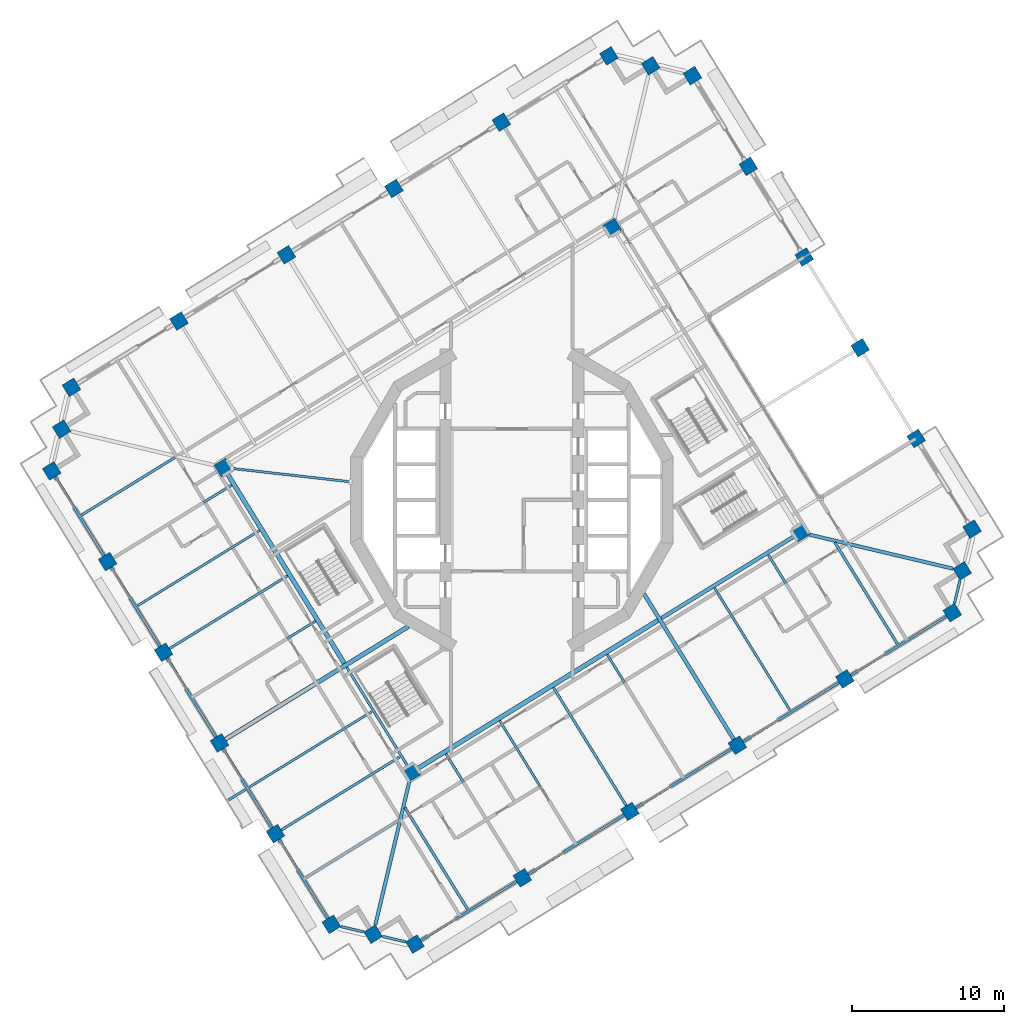
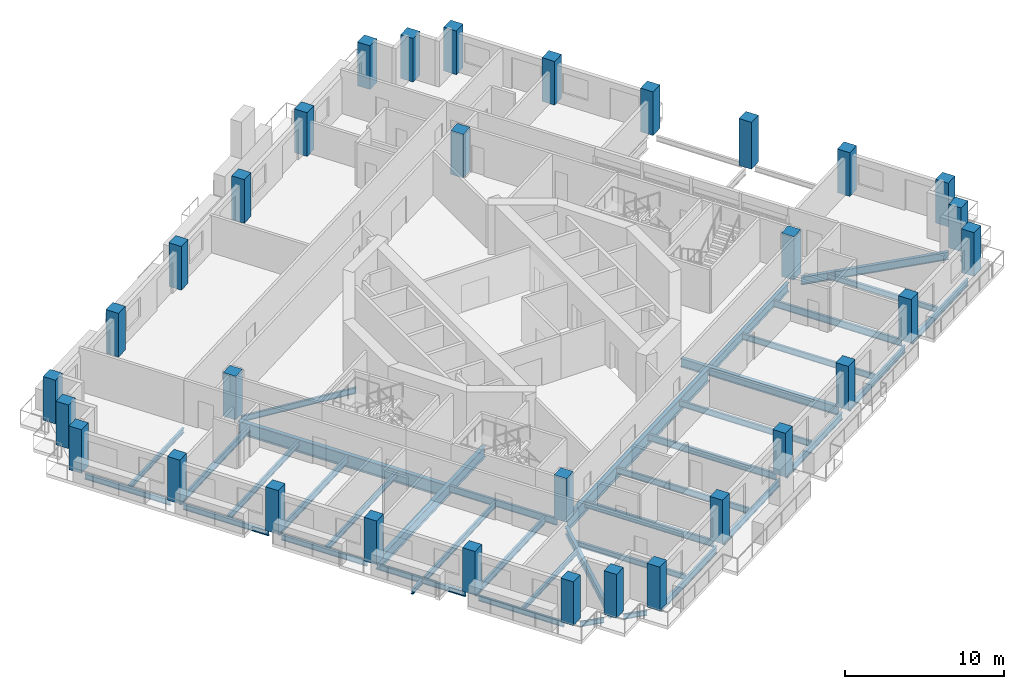
# One storey, part 1 of 21: 39 beams, 32 columns.
"""IFC4 building model written with IfcOpenShell, lengths in metres."""

from ifc_helpers import new_model, si_unit, direction, frame, origin, origin_2d, place, context, subcontext, project, spatial, rectangle, i_section, extrude, material, material_profile, profile_set, type_object, element, save


model = new_model("IFC4")

# Units and contexts
model_context = context("Model", 3, precision=1e-05, world=origin(), true_north=direction((0.0, 1.0)))
body_context = subcontext(model_context, "Body", "Model", "MODEL_VIEW")
ifc_project = project(units=[si_unit("LENGTHUNIT", "METRE"), si_unit("AREAUNIT", "SQUARE_METRE"), si_unit("VOLUMEUNIT", "CUBIC_METRE"), si_unit("PLANEANGLEUNIT", "RADIAN"), si_unit("MASSUNIT", "GRAM", prefix="KILO")], contexts=[model_context])

# Site, building, storey
site_placement = place(None, origin())
site = spatial("IfcSite", under=ifc_project, at=site_placement, CompositionType="ELEMENT")
building_placement = place(site_placement, origin())
building = spatial("IfcBuilding", under=site, at=building_placement, Name="Cantera Rosa Tower", CompositionType="ELEMENT")
storey_placement = place(building_placement, frame((0.0, 0.0, 185.60009765625)))
storey = spatial("IfcBuildingStorey", under=building, at=storey_placement, Name="L41", CompositionType="ELEMENT", Elevation=185.60009765625)

# Columns
ifc_material_1 = material(Name="Concrete C60/75", Category="concrete")
ifc_material_profile_1 = material_profile(ifc_material_1, rectangle(XDim=0.89990234375, YDim=0.89990234375, at=origin_2d()), Name="RC COLUMN RC900X900 C60/75")
ifc_profile_set_1 = profile_set([ifc_material_profile_1], Name="Concrete C60/75")
column_type_1 = type_object("IfcColumnType", Name="RC COLUMN RC900X900 C60/75", PredefinedType="COLUMN", material=ifc_profile_set_1)
for number, where, z_axis, x_axis, name in (
    (1, (30.321044921875, -1.917724609375, 0.0), (0.0, 0.0, 1.0), (0.851116672434, 0.52497658034, 0.0), "C-Z3-01 L41"),
    (2, (26.6357421875, 4.05712890625, 0.0), (0.0, 0.0, 1.0), (0.851116672434, 0.52497658034, 0.0), "C-Z3-02 L41"),
):
    element("IfcColumn", number, at=place(storey_placement, frame(where, z_axis=z_axis, x_axis=x_axis)), inside=storey, type_object=column_type_1, Name=name, PredefinedType="COLUMN", context=body_context, shape_type="SweptSolid", body=[
        extrude(rectangle(XDim=0.89990234375, YDim=0.89990234375, at=origin_2d()), origin(), (0.0, 0.0, 1.0), 3.349853515625),
    ])
column_placement = place(storey_placement, frame((22.950439453125, 10.031982421875, -0.25), z_axis=(0.0, 0.0, 1.0), x_axis=(0.851116672434, 0.52497658034, 0.0)))
element("IfcColumn", 3, at=column_placement, inside=storey, type_object=column_type_1, Name="C-Z3-03 L41", PredefinedType="COLUMN", context=body_context, shape_type="SweptSolid", body=[
    extrude(rectangle(XDim=0.89990234375, YDim=0.89990234375, at=origin_2d()), origin(), (0.0, 0.0, 1.0), 3.599853515625),
])
for number, where, z_axis, x_axis, name in (
    (4, (19.26513671875, 16.0068359375, 0.0), (0.0, 0.0, 1.0), (0.851116672434, 0.52497658034, 0.0), "C-Z3-04 L41"),
    (5, (15.57958984375, 21.981689453125, 0.0), (0.0, 0.0, 1.0), (0.851116672434, 0.52497658034, 0.0), "C-Z3-05 L41"),
    (6, (11.894287109375, 27.95654296875, 0.0), (0.0, 0.0, 1.0), (0.851116672434, 0.52497658034, 0.0), "C-Z3-06 L41"),
    (7, (9.14208984375, 28.60888671875, 0.0), (0.0, 0.0, 1.0), (0.851116672434, 0.52497658034, 0.0), "C-Z3-07 L41"),
    (8, (6.389892578125, 29.260986328125, 0.0), (0.0, 0.0, 1.0), (0.851116672434, 0.52497658034, 0.0), "C-Z3-08 L41"),
    (9, (-0.69140625, 24.893310546875, 0.0), (0.0, 0.0, 1.0), (0.851116672434, 0.52497658034, 0.0), "C-Z3-09 L41"),
    (10, (-7.772705078125, 20.525390625, 0.0), (0.0, 0.0, 1.0), (0.851116672434, 0.52497658034, 0.0), "C-Z3-10 L41"),
    (11, (-14.85400390625, 16.15771484375, 0.0), (0.0, 0.0, 1.0), (0.851116672434, 0.52497658034, 0.0), "C-Z3-11 L41"),
    (12, (-21.935302734375, 11.789794921875, 0.0), (0.0, 0.0, 1.0), (0.851116672434, 0.52497658034, 0.0), "C-Z3-12 L41"),
    (13, (-29.016357421875, 7.422119140625, 0.0), (0.0, 0.0, 1.0), (0.851116672434, 0.52497658034, 0.0), "C-Z3-13 L41"),
    (14, (-29.668701171875, 4.669921875, 0.0), (0.0, 0.0, 1.0), (0.851116672434, 0.52497658034, 0.0), "C-Z3-14 L41"),
    (15, (-30.321044921875, 1.917724609375, 0.0), (0.0, 0.0, 1.0), (0.851116672434, 0.52497658034, 0.0), "C-Z3-15 L41"),
    (16, (-26.6357421875, -4.05712890625, 0.0), (0.0, 0.0, 1.0), (0.851116672434, 0.52497658034, 0.0), "C-Z3-16 L41"),
    (17, (-22.950439453125, -10.031982421875, 0.0), (0.0, 0.0, 1.0), (0.851116672434, 0.52497658034, 0.0), "C-Z3-17 L41"),
    (18, (-19.26513671875, -16.0068359375, 0.0), (0.0, 0.0, 1.0), (0.851116672434, 0.52497658034, 0.0), "C-Z3-18 L41"),
    (19, (-15.57958984375, -21.981689453125, 0.0), (0.0, 0.0, 1.0), (0.851116672434, 0.52497658034, 0.0), "C-Z3-19 L41"),
    (20, (-11.894287109375, -27.95654296875, 0.0), (0.0, 0.0, 1.0), (0.851116672434, 0.52497658034, 0.0), "C-Z3-20 L41"),
    (21, (-9.14208984375, -28.60888671875, 0.0), (0.0, 0.0, 1.0), (0.851116672434, 0.52497658034, 0.0), "C-Z3-21 L41"),
    (22, (-6.389892578125, -29.260986328125, 0.0), (0.0, 0.0, 1.0), (0.851116672434, 0.52497658034, 0.0), "C-Z3-22 L41"),
    (23, (0.69140625, -24.893310546875, 0.0), (0.0, 0.0, 1.0), (0.851116672434, 0.52497658034, 0.0), "C-Z3-23 L41"),
    (24, (7.772705078125, -20.525390625, 0.0), (0.0, 0.0, 1.0), (0.851116672434, 0.52497658034, 0.0), "C-Z3-24 L41"),
    (25, (14.85400390625, -16.15771484375, 0.0), (0.0, 0.0, 1.0), (0.851116672434, 0.52497658034, 0.0), "C-Z3-25 L41"),
    (26, (21.935302734375, -11.789794921875, 0.0), (0.0, 0.0, 1.0), (0.851116672434, 0.52497658034, 0.0), "C-Z3-26 L41"),
    (27, (29.016357421875, -7.422119140625, 0.0), (0.0, 0.0, 1.0), (0.851116672434, 0.52497658034, 0.0), "C-Z3-27 L41"),
    (28, (29.668701171875, -4.669921875, 0.0), (0.0, 0.0, 1.0), (0.851116672434, 0.52497658034, 0.0), "C-Z3-28 L41"),
):
    element("IfcColumn", number, at=place(storey_placement, frame(where, z_axis=z_axis, x_axis=x_axis)), inside=storey, type_object=column_type_1, Name=name, PredefinedType="COLUMN", context=body_context, shape_type="SweptSolid", body=[
        extrude(rectangle(XDim=0.89990234375, YDim=0.89990234375, at=origin_2d()), origin(), (0.0, 0.0, 1.0), 3.349853515625),
    ])
ifc_material_2 = material(Name="Concrete C60/75", Category="concrete")
ifc_material_profile_2 = material_profile(ifc_material_2, rectangle(XDim=0.89990234375, YDim=0.89990234375, at=origin_2d()), Name="RC RING COLUMN RC900X900 C60/75")
ifc_profile_set_2 = profile_set([ifc_material_profile_2], Name="Concrete C60/75")
column_type_2 = type_object("IfcColumnType", Name="RC RING COLUMN RC900X900 C60/75", PredefinedType="COLUMN", material=ifc_profile_set_2)
for number, where, z_axis, x_axis, name in (
    (29, (6.614501953125, 17.944091796875, 0.0), (0.0, 0.0, 1.0), (0.851116672434, 0.52497658034, 0.0), "CI-Z3-1 L41"),
    (30, (-19.004150390625, 2.142333984375, 0.0), (0.0, 0.0, 1.0), (0.851116672434, 0.52497658034, 0.0), "CI-Z3-2 L41"),
    (31, (-6.614501953125, -17.944091796875, 0.0), (0.0, 0.0, 1.0), (0.851116672434, 0.52497658034, 0.0), "CI-Z3-3 L41"),
    (32, (19.004150390625, -2.142333984375, 0.0), (0.0, 0.0, 1.0), (0.851116672434, 0.52497658034, 0.0), "CI-Z3-4 L41"),
):
    element("IfcColumn", number, at=place(storey_placement, frame(where, z_axis=z_axis, x_axis=x_axis)), inside=storey, type_object=column_type_2, Name=name, PredefinedType="COLUMN", context=body_context, shape_type="SweptSolid", body=[
        extrude(rectangle(XDim=0.89990234375, YDim=0.89990234375, at=origin_2d()), origin(), (0.0, 0.0, 1.0), 3.349853515625),
    ])

# Beams
ifc_material_3 = material(Name="Steel ASTM A992 (Fy 345 MPa)", Category="steel")
ifc_material_profile_3 = material_profile(ifc_material_3, i_section(OverallWidth=0.300048828125, OverallDepth=0.990966796875, WebThickness=0.0166015625, FlangeThickness=0.030517578125, FilletRadius=0.030029296875, at=origin_2d()), Name="W1000X272")
ifc_profile_set_3 = profile_set([ifc_material_profile_3], Name="Steel ASTM A992 (Fy 345 MPa)")
beam_type_1 = type_object("IfcBeamType", Name="STEEL BEAM W1000X272", PredefinedType="BEAM", material=ifc_profile_set_3)
beam_1_placement = place(storey_placement, frame((-11.04541015625, -10.7607421875, -0.74560546875), z_axis=(-0.524974072618, 0.851118219215, 0.0), x_axis=(-0.851118219215, -0.524974072618, 0.0)))
element("IfcBeam", 33, at=beam_1_placement, inside=storey, type_object=beam_type_1, Name="RB-Z3-08 L41", PredefinedType="BEAM", context=body_context, shape_type="SweptSolid", body=[
    extrude(i_section(OverallWidth=0.300048828125, OverallDepth=0.990966796875, WebThickness=0.0166015625, FlangeThickness=0.030517578125, FilletRadius=0.030029296875, at=origin_2d()), origin(), (0.0, 0.0, 1.0), 14.7099609375),
])
ifc_material_4 = material(Name="Steel ASTM A992 (Fy 345 MPa)", Category="steel")
ifc_material_profile_4 = material_profile(ifc_material_4, i_section(OverallWidth=0.302001953125, OverallDepth=1.010009765625, WebThickness=0.02099609375, FlangeThickness=0.0400390625, FilletRadius=0.030029296875, at=origin_2d()), Name="W1000X350")
ifc_profile_set_4 = profile_set([ifc_material_profile_4], Name="Steel ASTM A992 (Fy 345 MPa)")
beam_type_2 = type_object("IfcBeamType", Name="STEEL BEAM W1000X350", PredefinedType="BEAM", material=ifc_profile_set_4)
beam_2_placement = place(storey_placement, frame((-6.231689453125, -17.707763671875, -0.755126953125), z_axis=(0.851118702028, 0.524973289852, 0.0), x_axis=(-0.524973289852, 0.851118702028, 0.0)))
element("IfcBeam", 34, at=beam_2_placement, inside=storey, type_object=beam_type_2, Name="RB-Z3-03 L41", PredefinedType="BEAM", context=body_context, shape_type="SweptSolid", body=[
    extrude(i_section(OverallWidth=0.302001953125, OverallDepth=1.010009765625, WebThickness=0.02099609375, FlangeThickness=0.0400390625, FilletRadius=0.030029296875, at=origin_2d()), origin(), (0.0, 0.0, 1.0), 18.610107421875),
])
ifc_material_5 = material(Name="Steel ASTM A992 (Fy 345 MPa)", Category="steel")
ifc_material_profile_5 = material_profile(ifc_material_5, i_section(OverallWidth=0.154052734375, OverallDepth=0.4599609375, WebThickness=0.009033203125, FlangeThickness=0.015380859375, FilletRadius=0.01025390625, at=origin_2d()), Name="W460X68")
ifc_profile_set_5 = profile_set([ifc_material_profile_5], Name="Steel ASTM A992 (Fy 345 MPa)")
beam_type_3 = type_object("IfcBeamType", Name="STEEL BEAM W460X68", PredefinedType="BEAM", material=ifc_profile_set_5)
beam_3_placement = place(storey_placement, frame((-18.435791015625, 2.078125, -0.47998046875), z_axis=(0.993707483767, -0.11200641368, 0.0), x_axis=(0.11200641368, 0.993707483767, 0.0)))
element("IfcBeam", 35, at=beam_3_placement, inside=storey, type_object=beam_type_3, Name="PG-Z3-01 L41", PredefinedType="BEAM", context=body_context, shape_type="SweptSolid", body=[
    extrude(i_section(OverallWidth=0.154052734375, OverallDepth=0.4599609375, WebThickness=0.009033203125, FlangeThickness=0.015380859375, FilletRadius=0.01025390625, at=origin_2d()), origin(), (0.0, 0.0, 1.0), 7.860107421875),
])
ifc_material_6 = material(Name="Steel ASTM A992 (Fy 345 MPa)", Category="steel")
ifc_material_profile_6 = material_profile(ifc_material_6, i_section(OverallWidth=0.166015625, OverallDepth=0.528076171875, WebThickness=0.009765625, FlangeThickness=0.013671875, FilletRadius=0.0126953125, at=origin_2d()), Name="W530X74")
ifc_profile_set_6 = profile_set([ifc_material_profile_6], Name="Steel ASTM A992 (Fy 345 MPa)")
beam_type_4 = type_object("IfcBeamType", Name="STEEL BEAM W530X74", PredefinedType="BEAM", material=ifc_profile_set_6)
beam_4_placement = place(storey_placement, frame((0.455078125, -24.51025390625, -0.51416015625), z_axis=(-0.524976979362, 0.851116426313, 0.0), x_axis=(-0.851116426313, -0.524976979362, 0.0)))
element("IfcBeam", 36, at=beam_4_placement, inside=storey, type_object=beam_type_4, Name="G-Z3-09 L41", PredefinedType="BEAM", context=body_context, shape_type="SweptSolid", body=[
    extrude(i_section(OverallWidth=0.166015625, OverallDepth=0.528076171875, WebThickness=0.009765625, FlangeThickness=0.013671875, FilletRadius=0.0126953125, at=origin_2d()), origin(), (0.0, 0.0, 1.0), 9.14990234375),
])
beam_5_placement = place(storey_placement, frame((7.536376953125, -20.142578125, -0.51416015625), z_axis=(-0.524965057427, 0.851123779764, 0.0), x_axis=(-0.851123779764, -0.524965057427, 0.0)))
element("IfcBeam", 37, at=beam_5_placement, inside=storey, type_object=beam_type_4, Name="G-Z3-10 L41", PredefinedType="BEAM", context=body_context, shape_type="SweptSolid", body=[
    extrude(i_section(OverallWidth=0.166015625, OverallDepth=0.528076171875, WebThickness=0.009765625, FlangeThickness=0.013671875, FilletRadius=0.0126953125, at=origin_2d()), origin(), (0.0, 0.0, 1.0), 9.150146484375),
])
for number, where, z_axis, x_axis, name in (
    (38, (21.698974609375, -11.40673828125, -0.51416015625), (-0.524976979362, 0.851116426313, 0.0), (-0.851116426313, -0.524976979362, 0.0), "G-Z3-12 L41"),
    (39, (-26.252685546875, -3.82080078125, -0.51416015625), (0.851116426313, 0.524976979362, 0.0), (-0.524976979362, 0.851116426313, 0.0), "G-Z3-13 L41"),
):
    element("IfcBeam", number, at=place(storey_placement, frame(where, z_axis=z_axis, x_axis=x_axis)), inside=storey, type_object=beam_type_4, Name=name, PredefinedType="BEAM", context=body_context, shape_type="SweptSolid", body=[
        extrude(i_section(OverallWidth=0.166015625, OverallDepth=0.528076171875, WebThickness=0.009765625, FlangeThickness=0.013671875, FilletRadius=0.0126953125, at=origin_2d()), origin(), (0.0, 0.0, 1.0), 9.14990234375),
    ])
for number, where, z_axis, x_axis, name in (
    (40, (-22.5673828125, -9.795654296875, -0.51416015625), (0.851123779764, 0.524965057427, 0.0), (-0.524965057427, 0.851123779764, 0.0), "G-Z3-14 L41"),
    (41, (-15.19677734375, -21.745361328125, -0.51416015625), (0.851123779764, 0.524965057427, 0.0), (-0.524965057427, 0.851123779764, 0.0), "G-Z3-16 L41"),
):
    element("IfcBeam", number, at=place(storey_placement, frame(where, z_axis=z_axis, x_axis=x_axis)), inside=storey, type_object=beam_type_4, Name=name, PredefinedType="BEAM", context=body_context, shape_type="SweptSolid", body=[
        extrude(i_section(OverallWidth=0.166015625, OverallDepth=0.528076171875, WebThickness=0.009765625, FlangeThickness=0.013671875, FilletRadius=0.0126953125, at=origin_2d()), origin(), (0.0, 0.0, 1.0), 9.150146484375),
    ])
beam_6_placement = place(storey_placement, frame((-6.850830078125, -17.56103515625, -0.51416015625), z_axis=(-0.52497571981, 0.851117203216, 0.0), x_axis=(-0.851117203216, -0.52497571981, 0.0)))
element("IfcBeam", 42, at=beam_6_placement, inside=storey, type_object=beam_type_4, Name="RB-Z3-07 L41", PredefinedType="BEAM", context=body_context, shape_type="SweptSolid", body=[
    extrude(i_section(OverallWidth=0.166015625, OverallDepth=0.528076171875, WebThickness=0.009765625, FlangeThickness=0.013671875, FilletRadius=0.0126953125, at=origin_2d()), origin(), (0.0, 0.0, 1.0), 7.690185546875),
])
ifc_material_7 = material(Name="Steel ASTM A992 (Fy 345 MPa)", Category="steel")
ifc_material_profile_7 = material_profile(ifc_material_7, i_section(OverallWidth=0.22802734375, OverallDepth=0.60205078125, WebThickness=0.010498046875, FlangeThickness=0.014892578125, FilletRadius=0.0126953125, at=origin_2d()), Name="W610X101")
ifc_profile_set_7 = profile_set([ifc_material_profile_7], Name="Steel ASTM A992 (Fy 345 MPa)")
beam_type_5 = type_object("IfcBeamType", Name="STEEL BEAM W610X101", PredefinedType="BEAM", material=ifc_profile_set_7)
for number, where, z_axis, x_axis, name in (
    (43, (-8.995361328125, -27.989501953125, -0.551025390625), (0.230622120091, 0.973043389436, 0.0), (-0.973043389436, 0.230622120091, 0.0), "CB-Z3-03 L41"),
    (44, (29.049560546875, -4.523193359375, -0.551025390625), (-0.973043389436, 0.230622120091, 0.0), (-0.230622120091, -0.973043389436, 0.0), "CB-Z3-04 L41"),
):
    element("IfcBeam", number, at=place(storey_placement, frame(where, z_axis=z_axis, x_axis=x_axis)), inside=storey, type_object=beam_type_5, Name=name, PredefinedType="BEAM", context=body_context, shape_type="SweptSolid", body=[
        extrude(i_section(OverallWidth=0.22802734375, OverallDepth=0.60205078125, WebThickness=0.010498046875, FlangeThickness=0.014892578125, FilletRadius=0.0126953125, at=origin_2d()), origin(), (0.0, 0.0, 1.0), 9.6875),
    ])
ifc_material_8 = material(Name="Steel ASTM A992 (Fy 345 MPa)", Category="steel")
ifc_material_profile_8 = material_profile(ifc_material_8, i_section(OverallWidth=0.25390625, OverallDepth=0.677978515625, WebThickness=0.01171875, FlangeThickness=0.016357421875, FilletRadius=0.01513671875, at=origin_2d()), Name="W690X125")
ifc_profile_set_8 = profile_set([ifc_material_profile_8], Name="Steel ASTM A992 (Fy 345 MPa)")
beam_type_6 = type_object("IfcBeamType", Name="STEEL BEAM W690X125", PredefinedType="BEAM", material=ifc_profile_set_8)
beam_7_placement = place(storey_placement, frame((14.61767578125, -15.774658203125, -0.589111328125), z_axis=(-0.524984160378, 0.85111199695, 0.0), x_axis=(-0.85111199695, -0.524984160378, 0.0)))
element("IfcBeam", 45, at=beam_7_placement, inside=storey, type_object=beam_type_6, Name="G-Z3-11 L41", PredefinedType="BEAM", context=body_context, shape_type="SweptSolid", body=[
    extrude(i_section(OverallWidth=0.25390625, OverallDepth=0.677978515625, WebThickness=0.01171875, FlangeThickness=0.016357421875, FilletRadius=0.01513671875, at=origin_2d()), origin(), (0.0, 0.0, 1.0), 11.271728515625),
])
beam_8_placement = place(storey_placement, frame((9.863037109375, -7.780517578125, -0.589111328125), z_axis=(0.851114508358, 0.524980088825, 0.0), x_axis=(-0.524980088825, 0.851114508358, 0.0)))
element("IfcBeam", 46, at=beam_8_placement, inside=storey, type_object=beam_type_6, Name="RB-Z3-04 L41", PredefinedType="BEAM", context=body_context, shape_type="SweptSolid", body=[
    extrude(i_section(OverallWidth=0.25390625, OverallDepth=0.677978515625, WebThickness=0.01171875, FlangeThickness=0.016357421875, FilletRadius=0.01513671875, at=origin_2d()), origin(), (0.0, 0.0, 1.0), 10.2900390625),
])
ifc_material_9 = material(Name="Steel ASTM A992 (Fy 345 MPa)", Category="steel")
ifc_material_profile_9 = material_profile(ifc_material_9, i_section(OverallWidth=0.2919921875, OverallDepth=0.8359375, WebThickness=0.013916015625, FlangeThickness=0.018798828125, FilletRadius=0.017822265625, at=origin_2d()), Name="W840X176")
ifc_profile_set_9 = profile_set([ifc_material_profile_9], Name="Steel ASTM A992 (Fy 345 MPa)")
beam_type_7 = type_object("IfcBeamType", Name="STEEL BEAM W840X176", PredefinedType="BEAM", material=ifc_profile_set_9)
beam_9_placement = place(storey_placement, frame((-18.882080078125, -15.7705078125, -0.668212890625), z_axis=(0.8511231456, 0.524966085595, 0.0), x_axis=(-0.524966085595, 0.8511231456, 0.0)))
element("IfcBeam", 47, at=beam_9_placement, inside=storey, type_object=beam_type_7, Name="G-Z3-15 L41", PredefinedType="BEAM", context=body_context, shape_type="SweptSolid", body=[
    extrude(i_section(OverallWidth=0.2919921875, OverallDepth=0.8359375, WebThickness=0.013916015625, FlangeThickness=0.018798828125, FilletRadius=0.017822265625, at=origin_2d()), origin(), (0.0, 0.0, 1.0), 14.17138671875),
])
ifc_material_10 = material(Name="Steel ASTM A992 (Fy 345 MPa)", Category="steel")
ifc_material_profile_10 = material_profile(ifc_material_10, i_section(OverallWidth=0.1708984375, OverallDepth=0.35595703125, WebThickness=0.00732421875, FlangeThickness=0.01171875, FilletRadius=0.010009765625, at=origin_2d()), Name="W360X51")
ifc_profile_set_10 = profile_set([ifc_material_profile_10], Name="Steel ASTM A992 (Fy 345 MPa)")
beam_type_8 = type_object("IfcBeamType", Name="STEEL JOIST W360X51", PredefinedType="JOIST", material=ifc_profile_set_10)
for number, where, z_axis, x_axis, name in (
    (48, (-28.3505859375, -0.990966796875, -0.427978515625), (0.851109089911, 0.524988873283, 0.0), (-0.524988873283, 0.851109089911, 0.0), "B-Z3-16 L41"),
    (49, (-13.609375, -24.890380859375, -0.427978515625), (0.851109089911, 0.524988873283, 0.0), (-0.524988873283, 0.851109089911, 0.0), "B-Z3-20 L41"),
):
    element("IfcBeam", number, at=place(storey_placement, frame(where, z_axis=z_axis, x_axis=x_axis)), inside=storey, type_object=beam_type_8, Name=name, PredefinedType="JOIST", context=body_context, shape_type="SweptSolid", body=[
        extrude(i_section(OverallWidth=0.1708984375, OverallDepth=0.35595703125, WebThickness=0.00732421875, FlangeThickness=0.01171875, FilletRadius=0.010009765625, at=origin_2d()), origin(), (0.0, 0.0, 1.0), 7.2099609375),
    ])
beam_10_placement = place(storey_placement, frame((-17.532958984375, -19.0625, -0.427978515625), z_axis=(-0.851111635158, -0.52498474692, 0.0), x_axis=(0.52498474692, -0.851111635158, 0.0)))
element("IfcBeam", 50, at=beam_10_placement, inside=storey, type_object=beam_type_8, Name="BS-Z3-27 L41", PredefinedType="JOIST", context=body_context, shape_type="SweptSolid", body=[
    extrude(i_section(OverallWidth=0.1708984375, OverallDepth=0.35595703125, WebThickness=0.00732421875, FlangeThickness=0.01171875, FilletRadius=0.010009765625, at=origin_2d()), origin(), (0.0, 0.0, 1.0), 1.3505859375),
])
ifc_material_11 = material(Name="Steel ASTM A992 (Fy 345 MPa)", Category="steel")
ifc_material_profile_11 = material_profile(ifc_material_11, i_section(OverallWidth=0.177978515625, OverallDepth=0.406005859375, WebThickness=0.0078125, FlangeThickness=0.0126953125, FilletRadius=0.01025390625, at=origin_2d()), Name="W410X60")
ifc_profile_set_11 = profile_set([ifc_material_profile_11], Name="Steel ASTM A992 (Fy 345 MPa)")
beam_type_9 = type_object("IfcBeamType", Name="STEEL JOIST W410X60", PredefinedType="JOIST", material=ifc_profile_set_11)
beam_11_placement = place(storey_placement, frame((-2.927978515625, -26.949462890625, -0.453125), z_axis=(-0.524994840515, 0.85110540912, 0.0), x_axis=(-0.85110540912, -0.524994840515, 0.0)))
element("IfcBeam", 51, at=beam_11_placement, inside=storey, type_object=beam_type_9, Name="B-Z3-11 L41", PredefinedType="JOIST", context=body_context, shape_type="SweptSolid", body=[
    extrude(i_section(OverallWidth=0.177978515625, OverallDepth=0.406005859375, WebThickness=0.0078125, FlangeThickness=0.0126953125, FilletRadius=0.01025390625, at=origin_2d()), origin(), (0.0, 0.0, 1.0), 7.860107421875),
])
beam_12_placement = place(storey_placement, frame((25.39697265625, -9.478271484375, -0.453125), z_axis=(-0.524972339906, 0.851119287958, 0.0), x_axis=(-0.851119287958, -0.524972339906, 0.0)))
element("IfcBeam", 52, at=beam_12_placement, inside=storey, type_object=beam_type_9, Name="B-Z3-15 L41", PredefinedType="JOIST", context=body_context, shape_type="SweptSolid", body=[
    extrude(i_section(OverallWidth=0.177978515625, OverallDepth=0.406005859375, WebThickness=0.0078125, FlangeThickness=0.0126953125, FilletRadius=0.01025390625, at=origin_2d()), origin(), (0.0, 0.0, 1.0), 7.85986328125),
])
ifc_material_12 = material(Name="Steel ASTM A992 (Fy 345 MPa)", Category="steel")
ifc_material_profile_12 = material_profile(ifc_material_12, i_section(OverallWidth=0.154052734375, OverallDepth=0.4599609375, WebThickness=0.009033203125, FlangeThickness=0.015380859375, FilletRadius=0.01025390625, at=origin_2d()), Name="W460X68")
ifc_profile_set_12 = profile_set([ifc_material_profile_12], Name="Steel ASTM A992 (Fy 345 MPa)")
beam_type_10 = type_object("IfcBeamType", Name="STEEL JOIST W460X68", PredefinedType="JOIST", material=ifc_profile_set_12)
beam_13_placement = place(storey_placement, frame((4.1533203125, -22.581787109375, -0.47998046875), z_axis=(-0.524980724235, 0.851114116427, 0.0), x_axis=(-0.851114116427, -0.524980724235, 0.0)))
element("IfcBeam", 53, at=beam_13_placement, inside=storey, type_object=beam_type_10, Name="B-Z3-12 L41", PredefinedType="JOIST", context=body_context, shape_type="SweptSolid", body=[
    extrude(i_section(OverallWidth=0.154052734375, OverallDepth=0.4599609375, WebThickness=0.009033203125, FlangeThickness=0.015380859375, FilletRadius=0.01025390625, at=origin_2d()), origin(), (0.0, 0.0, 1.0), 9.4501953125),
])
beam_14_placement = place(storey_placement, frame((11.234619140625, -18.2138671875, -0.47998046875), z_axis=(-0.524992267726, 0.85110699611, 0.0), x_axis=(-0.85110699611, -0.524992267726, 0.0)))
element("IfcBeam", 54, at=beam_14_placement, inside=storey, type_object=beam_type_10, Name="B-Z3-13 L41", PredefinedType="JOIST", context=body_context, shape_type="SweptSolid", body=[
    extrude(i_section(OverallWidth=0.154052734375, OverallDepth=0.4599609375, WebThickness=0.009033203125, FlangeThickness=0.015380859375, FilletRadius=0.01025390625, at=origin_2d()), origin(), (0.0, 0.0, 1.0), 9.449951171875),
])
beam_15_placement = place(storey_placement, frame((18.315673828125, -13.84619140625, -0.47998046875), z_axis=(-0.524962009542, 0.851125659663, 0.0), x_axis=(-0.851125659663, -0.524962009542, 0.0)))
element("IfcBeam", 55, at=beam_15_placement, inside=storey, type_object=beam_type_10, Name="B-Z3-14 L41", PredefinedType="JOIST", context=body_context, shape_type="SweptSolid", body=[
    extrude(i_section(OverallWidth=0.154052734375, OverallDepth=0.4599609375, WebThickness=0.009033203125, FlangeThickness=0.015380859375, FilletRadius=0.01025390625, at=origin_2d()), origin(), (0.0, 0.0, 1.0), 9.4501953125),
])
for number, where, z_axis, x_axis, name in (
    (56, (-24.665283203125, -6.9658203125, -0.47998046875), (0.851118539758, 0.524973552935, 0.0), (-0.524973552935, 0.851118539758, 0.0), "B-Z3-17 L41"),
    (57, (-20.97998046875, -12.940673828125, -0.47998046875), (0.851118539758, 0.524973552935, 0.0), (-0.524973552935, 0.851118539758, 0.0), "B-Z3-18 L41"),
    (58, (-17.294677734375, -18.91552734375, -0.47998046875), (0.851118539758, 0.524973552935, 0.0), (-0.524973552935, 0.851118539758, 0.0), "B-Z3-19 L41"),
):
    element("IfcBeam", number, at=place(storey_placement, frame(where, z_axis=z_axis, x_axis=x_axis)), inside=storey, type_object=beam_type_10, Name=name, PredefinedType="JOIST", context=body_context, shape_type="SweptSolid", body=[
        extrude(i_section(OverallWidth=0.154052734375, OverallDepth=0.4599609375, WebThickness=0.009033203125, FlangeThickness=0.015380859375, FilletRadius=0.01025390625, at=origin_2d()), origin(), (0.0, 0.0, 1.0), 9.449951171875),
    ])
ifc_material_13 = material(Name="Steel ASTM A992 (Fy 345 MPa)", Category="steel")
ifc_material_profile_13 = material_profile(ifc_material_13, i_section(OverallWidth=0.1708984375, OverallDepth=0.35595703125, WebThickness=0.00732421875, FlangeThickness=0.01171875, FilletRadius=0.010009765625, at=origin_2d()), Name="W360X51")
ifc_profile_set_13 = profile_set([ifc_material_profile_13], Name="Steel ASTM A992 (Fy 345 MPa)")
beam_type_11 = type_object("IfcBeamType", Name="STEEL SPANDREL BEAM W360X51", PredefinedType="SPANDREL", material=ifc_profile_set_13)
for number, where, z_axis, x_axis, name in (
    (59, (-11.275146484375, -28.103271484375, -0.427978515625), (0.973059906546, -0.230552419793, 0.0), (0.230552419793, 0.973059906546, 0.0), "EB-Z3-20 L41"),
    (60, (-8.52294921875, -28.755615234375, -0.427978515625), (0.973059906546, -0.230552419793, 0.0), (0.230552419793, 0.973059906546, 0.0), "EB-Z3-21 L41"),
    (61, (29.163330078125, -6.802734375, -0.427978515625), (0.230552419793, 0.973059906546, 0.0), (-0.973059906546, 0.230552419793, 0.0), "EB-Z3-27 L41"),
):
    element("IfcBeam", number, at=place(storey_placement, frame(where, z_axis=z_axis, x_axis=x_axis)), inside=storey, type_object=beam_type_11, Name=name, PredefinedType="SPANDREL", context=body_context, shape_type="SweptSolid", body=[
        extrude(i_section(OverallWidth=0.1708984375, OverallDepth=0.35595703125, WebThickness=0.00732421875, FlangeThickness=0.01171875, FilletRadius=0.010009765625, at=origin_2d()), origin(), (0.0, 0.0, 1.0), 1.5556640625),
    ])
ifc_material_14 = material(Name="Steel ASTM A992 (Fy 345 MPa)", Category="steel")
ifc_material_profile_14 = material_profile(ifc_material_14, i_section(OverallWidth=0.177978515625, OverallDepth=0.406005859375, WebThickness=0.0078125, FlangeThickness=0.0126953125, FilletRadius=0.01025390625, at=origin_2d()), Name="W410X60")
ifc_profile_set_14 = profile_set([ifc_material_profile_14], Name="Steel ASTM A992 (Fy 345 MPa)")
beam_type_12 = type_object("IfcBeamType", Name="STEEL SPANDREL BEAM W410X60", PredefinedType="SPANDREL", material=ifc_profile_set_14)
for number, where, z_axis, x_axis, name in (
    (62, (-30.084716796875, 1.53466796875, -0.453125), (0.524987447654, -0.851109969279, 0.0), (0.851109969279, 0.524987447654, 0.0), "EB-Z3-15 L41"),
    (63, (-26.3994140625, -4.440185546875, -0.453125), (0.524987447654, -0.851109969279, 0.0), (0.851109969279, 0.524987447654, 0.0), "EB-Z3-16 L41"),
    (64, (-22.714111328125, -10.4150390625, -0.453125), (0.524987447654, -0.851109969279, 0.0), (0.851109969279, 0.524987447654, 0.0), "EB-Z3-17 L41"),
    (65, (-19.02880859375, -16.389892578125, -0.453125), (0.524987447654, -0.851109969279, 0.0), (0.851109969279, 0.524987447654, 0.0), "EB-Z3-18 L41"),
    (66, (-15.343505859375, -22.36474609375, -0.453125), (0.524987447654, -0.851109969279, 0.0), (0.851109969279, 0.524987447654, 0.0), "EB-Z3-19 L41"),
):
    element("IfcBeam", number, at=place(storey_placement, frame(where, z_axis=z_axis, x_axis=x_axis)), inside=storey, type_object=beam_type_12, Name=name, PredefinedType="SPANDREL", context=body_context, shape_type="SweptSolid", body=[
        extrude(i_section(OverallWidth=0.177978515625, OverallDepth=0.406005859375, WebThickness=0.0078125, FlangeThickness=0.0126953125, FilletRadius=0.01025390625, at=origin_2d()), origin(), (0.0, 0.0, 1.0), 6.119873046875),
    ])
ifc_material_15 = material(Name="Steel ASTM A992 (Fy 345 MPa)", Category="steel")
ifc_material_profile_15 = material_profile(ifc_material_15, i_section(OverallWidth=0.166015625, OverallDepth=0.528076171875, WebThickness=0.009765625, FlangeThickness=0.013671875, FilletRadius=0.0126953125, at=origin_2d()), Name="W530X74")
ifc_profile_set_15 = profile_set([ifc_material_profile_15], Name="Steel ASTM A992 (Fy 345 MPa)")
beam_type_13 = type_object("IfcBeamType", Name="STEEL SPANDREL BEAM W530X74", PredefinedType="SPANDREL", material=ifc_profile_set_15)
for number, where, z_axis, x_axis, name in (
    (67, (-6.007080078125, -29.02490234375, -0.51416015625), (0.851111085575, 0.524985637909, 0.0), (-0.524985637909, 0.851111085575, 0.0), "EB-Z3-22 L41"),
    (68, (1.07421875, -24.656982421875, -0.51416015625), (0.85112578684, 0.524961803349, 0.0), (-0.524961803349, 0.85112578684, 0.0), "EB-Z3-23 L41"),
    (69, (8.155517578125, -20.289306640625, -0.51416015625), (0.851111085575, 0.524985637909, 0.0), (-0.524985637909, 0.851111085575, 0.0), "EB-Z3-24 L41"),
    (70, (15.23681640625, -15.92138671875, -0.51416015625), (0.85112578684, 0.524961803349, 0.0), (-0.524961803349, 0.85112578684, 0.0), "EB-Z3-25 L41"),
    (71, (22.318115234375, -11.5537109375, -0.51416015625), (0.851111085575, 0.524985637909, 0.0), (-0.524985637909, 0.851111085575, 0.0), "EB-Z3-26 L41"),
):
    element("IfcBeam", number, at=place(storey_placement, frame(where, z_axis=z_axis, x_axis=x_axis)), inside=storey, type_object=beam_type_13, Name=name, PredefinedType="SPANDREL", context=body_context, shape_type="SweptSolid", body=[
        extrude(i_section(OverallWidth=0.166015625, OverallDepth=0.528076171875, WebThickness=0.009765625, FlangeThickness=0.013671875, FilletRadius=0.0126953125, at=origin_2d()), origin(), (0.0, 0.0, 1.0), 7.420166015625),
    ])

save(model, "model.ifc")
